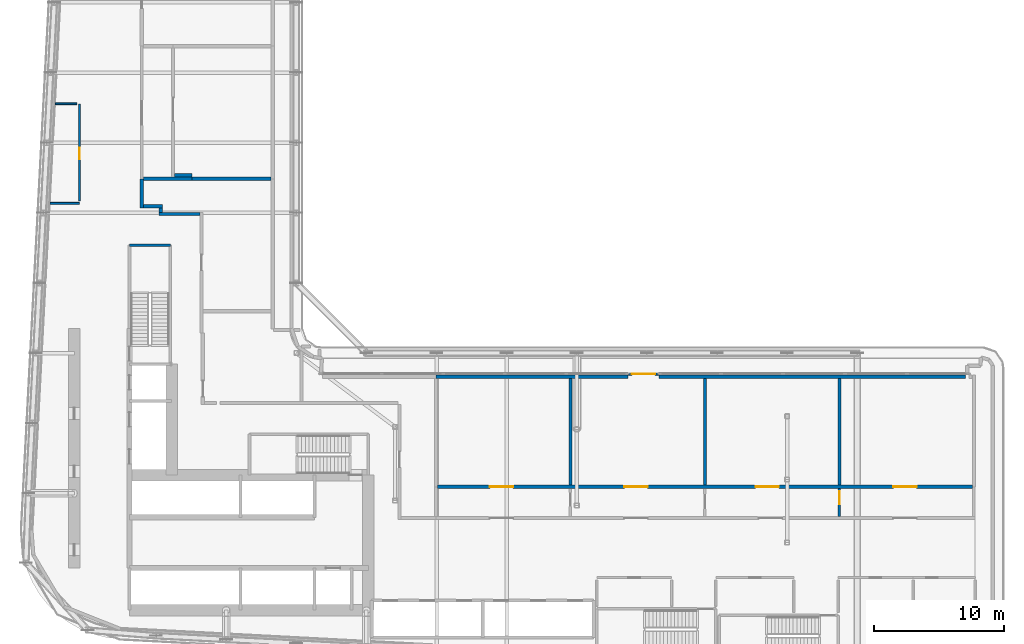
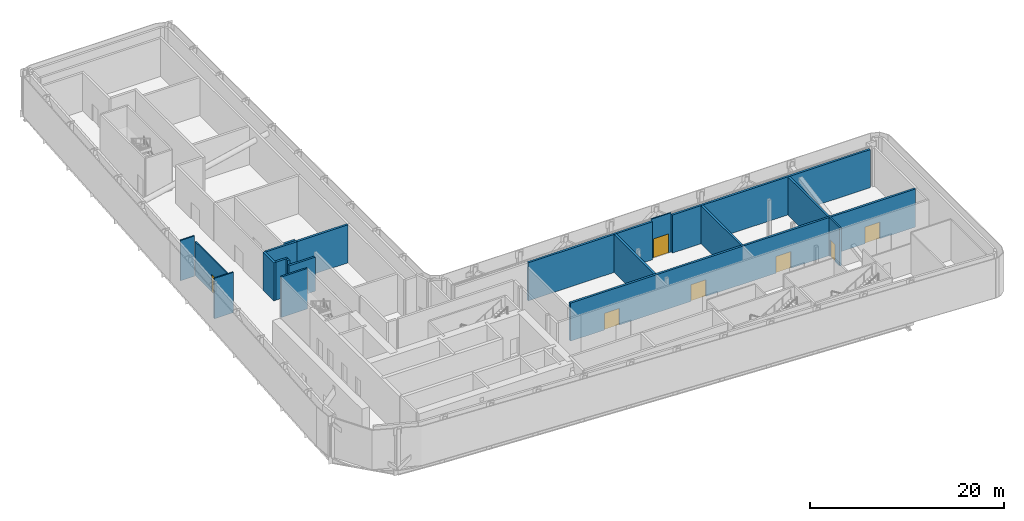
# One storey, part 20 of 30: 19 walls, 7 doors, 7 openings.
"""IFC4 building model written with IfcOpenShell, lengths in metres."""

from ifc_helpers import new_model, si_unit, direction, frame, frame_2d, origin, place, context, subcontext, project, spatial, rectangle, extrude, source, transform, mapped, material, layer, layer_set, type_object, element, fill, save


model = new_model("IFC4")

# Units and contexts
model_context = context("Model", 3, precision=1e-05, world=origin(), true_north=direction((0.0, 1.0)))
body_context = subcontext(model_context, "Body", "Model", "MODEL_VIEW")
ifc_project = project(units=[si_unit("LENGTHUNIT", "METRE"), si_unit("AREAUNIT", "SQUARE_METRE"), si_unit("VOLUMEUNIT", "CUBIC_METRE"), si_unit("PLANEANGLEUNIT", "RADIAN"), si_unit("MASSUNIT", "GRAM", prefix="KILO")], contexts=[model_context])

# Site, building, storey
site_placement = place(None, origin())
site = spatial("IfcSite", under=ifc_project, at=site_placement, CompositionType="ELEMENT")
building_placement = place(site_placement, origin())
building = spatial("IfcBuilding", under=site, at=building_placement, Name="Kheshtan School and Residences Tower", CompositionType="ELEMENT")
storey_placement = place(building_placement, frame((0.0, 0.0, 89.0)))
storey = spatial("IfcBuildingStorey", under=building, at=storey_placement, Name="L20", CompositionType="ELEMENT", Elevation=89.0)

# Wall, opening, door
ifc_material_1 = material(Name="Gypsum board on steel studs with fire boards", Category="steel")
ifc_layer_1 = layer(ifc_material_1, 0.199951171875)
ifc_layer_set_1 = layer_set([ifc_layer_1], Name="Corridor wall 200")
wall_type_1 = type_object("IfcWallType", Name="Corridor wall 200", PredefinedType="PARTITIONING", material=ifc_layer_set_1)
wall_1_placement = place(storey_placement, frame((89.422119140625, 33.0, 0.0), z_axis=(0.0, 0.0, 1.0), x_axis=(0.0, 1.0, 0.0)))
wall_1 = element("IfcWall", 1, at=wall_1_placement, inside=storey, type_object=wall_type_1, Name="Partition L20-050", PredefinedType="PARTITIONING", context=body_context, shape_type="SweptSolid", body=[
    extrude(rectangle(XDim=2.175048828125, YDim=0.199951171875, at=frame_2d((1.08740234375, 0.0))), origin(), (0.0, 0.0, 1.0), 4.800048828125),
])
opening_1_placement = place(wall_1_placement, frame((0.949951171875, 0.0, 0.0)))
opening_1 = element("IfcOpeningElement", 2, at=opening_1_placement, cuts=wall_1, Name="Opening D20-017", PredefinedType="OPENING", context=body_context, shape_type="SweptSolid", body=[
    extrude(rectangle(XDim=1.0, YDim=2.10009765625, at=frame_2d((0.5, 1.050048828125))), frame((0.0, 0.10986328125, 0.0), z_axis=(0.0, -1.0, 0.0), x_axis=(1.0, 0.0, 0.0)), (0.0, 0.0, 1.0), 0.219970703125),
])
ifc_material_2 = material(Name="Steel-framed fire-resisting door leaf", Category="steel")
door_type_1 = type_object("IfcDoorType", Name="Fire door FD60 1000 x 2100", OperationType="SINGLE_SWING_LEFT", PredefinedType="DOOR", material=ifc_material_2)
shared_shape_1 = source(origin(), body_context, "Body", "SweptSolid", [
    extrude(rectangle(XDim=1.0, YDim=2.10009765625, at=frame_2d((0.5, 1.050048828125))), frame((0.0, 0.02490234375, 0.0), z_axis=(0.0, -1.0, 0.0), x_axis=(1.0, 0.0, 0.0)), (0.0, 0.0, 1.0), 0.050048828125),
])
door_1_placement = place(opening_1_placement, origin())
door_1 = element("IfcDoor", 3, at=door_1_placement, inside=storey, type_object=door_type_1, Name="Door D20-017", OperationType="SINGLE_SWING_RIGHT", OverallHeight=2.10009765625, OverallWidth=1.0, PredefinedType="DOOR", context=body_context, shape_type="MappedRepresentation", body=[
    mapped(shared_shape_1, transform((0.0, 0.0, 0.0), x_axis=(1.0, 0.0, 0.0), y_axis=(0.0, 1.0, 0.0), z_axis=(0.0, 0.0, 1.0), scale=1.0)),
])
fill(opening_1, door_1)

ifc_material_3 = material(Name="Aluminium frame wall with insulated infill", Category="aluminium")
ifc_layer_2 = layer(ifc_material_3, 0.14990234375)
ifc_layer_set_2 = layer_set([ifc_layer_2], Name="Glazing frame wall 150")
wall_type_2 = type_object("IfcWallType", Name="Glazing frame wall 150", PredefinedType="SOLIDWALL", material=ifc_layer_set_2)
wall_2_placement = place(storey_placement, frame((73.1298828125, 43.97509765625, 0.0), z_axis=(0.0, 0.0, 1.0), x_axis=(1.0, 0.0, 0.0)))
wall_2 = element("IfcWall", 4, at=wall_2_placement, inside=storey, type_object=wall_type_2, Name="Terrace door wall L20 5", PredefinedType="SOLIDWALL", context=body_context, shape_type="SweptSolid", body=[
    extrude(rectangle(XDim=2.400146484375, YDim=0.14990234375, at=frame_2d((1.2001953125, 0.0))), origin(), (0.0, 0.0, 1.0), 4.949951171875),
])
opening_2_placement = place(wall_2_placement, frame((0.300048828125, 0.0, 0.0)))
opening_2 = element("IfcOpeningElement", 5, at=opening_2_placement, cuts=wall_2, Name="Opening BD", PredefinedType="OPENING", context=body_context, shape_type="SweptSolid", body=[
    extrude(rectangle(XDim=1.800048828125, YDim=2.39990234375, at=frame_2d((0.89990234375, 1.199951171875))), frame((0.0, 0.0849609375, 0.0), z_axis=(0.0, -1.0, 0.0), x_axis=(1.0, 0.0, 0.0)), (0.0, 0.0, 1.0), 0.169921875),
])
ifc_material_4 = material(Name="Clear low-e glass in thermally broken aluminium frame", Category="aluminium")
door_type_2 = type_object("IfcDoorType", Name="Balcony sliding door", OperationType="SLIDING_TO_LEFT", PredefinedType="DOOR", material=ifc_material_4)
shared_shape_2 = source(origin(), body_context, "Body", "SweptSolid", [
    extrude(rectangle(XDim=1.800048828125, YDim=2.39990234375, at=frame_2d((0.89990234375, 1.199951171875))), frame((0.0, 0.02490234375, 0.0), z_axis=(0.0, -1.0, 0.0), x_axis=(1.0, 0.0, 0.0)), (0.0, 0.0, 1.0), 0.050048828125),
])
door_2_placement = place(opening_2_placement, origin())
door_2 = element("IfcDoor", 6, at=door_2_placement, inside=storey, type_object=door_type_2, Name="Terrace door L20 5", OperationType="SLIDING_TO_LEFT", OverallHeight=2.39990234375, OverallWidth=1.800048828125, PredefinedType="DOOR", context=body_context, shape_type="MappedRepresentation", body=[
    mapped(shared_shape_2, transform((0.0, 0.0, 0.0), x_axis=(1.0, 0.0, 0.0), y_axis=(0.0, 1.0, 0.0), z_axis=(0.0, 0.0, 1.0), scale=1.0)),
])
fill(opening_2, door_2)

# Walls
ifc_material_5 = material(Name="Fire-board and steel stud wall with mineral wool", Category="steel")
ifc_layer_3 = layer(ifc_material_5, 0.25)
ifc_layer_set_3 = layer_set([ifc_layer_3], Name="Plant room wall 250")
wall_type_3 = type_object("IfcWallType", Name="Plant room wall 250", PredefinedType="PARTITIONING", material=ifc_layer_set_3)
wall_3_placement = place(storey_placement, frame((35.699951171875, 56.77490234375, 0.0), z_axis=(0.0, 0.0, 1.0), x_axis=(0.0, 1.0, 0.0)))
element("IfcWall", 7, at=wall_3_placement, inside=storey, type_object=wall_type_3, Name="Partition L20-006", PredefinedType="PARTITIONING", context=body_context, shape_type="SweptSolid", body=[
    extrude(rectangle(XDim=2.2490234375, YDim=0.25, at=frame_2d((1.12451171875, 0.0))), origin(), (0.0, 0.0, 1.0), 4.800048828125),
])
wall_4_placement = place(storey_placement, frame((35.824951171875, 56.89990234375, 0.0), z_axis=(0.0, 0.0, 1.0), x_axis=(1.0, 0.0, 0.0)))
element("IfcWall", 8, at=wall_4_placement, inside=storey, type_object=wall_type_3, Name="Partition L20-010", PredefinedType="PARTITIONING", context=body_context, shape_type="SweptSolid", body=[
    extrude(rectangle(XDim=1.449951171875, YDim=0.25, at=frame_2d((0.72509765625, 0.0))), origin(), (0.0, 0.0, 1.0), 4.800048828125),
])
wall_5_placement = place(storey_placement, frame((35.824951171875, 59.02392578125, 0.0), z_axis=(0.0, 0.0, 1.0), x_axis=(1.0, 0.0, 0.0)))
element("IfcWall", 9, at=wall_5_placement, inside=storey, type_object=wall_type_3, Name="Partition L20-011", PredefinedType="PARTITIONING", context=body_context, shape_type="SweptSolid", body=[
    extrude(rectangle(XDim=3.72509765625, YDim=0.25, at=frame_2d((1.862548828125, 0.0))), origin(), (0.0, 0.0, 1.0), 4.800048828125),
])
wall_6_placement = place(storey_placement, frame((37.02490234375, 56.31005859375, 0.0), z_axis=(0.0, 0.0, 1.0), x_axis=(1.0, 0.0, 0.0)))
element("IfcWall", 10, at=wall_6_placement, inside=storey, type_object=wall_type_3, Name="Partition L20-015", PredefinedType="PARTITIONING", context=body_context, shape_type="SweptSolid", body=[
    extrude(rectangle(XDim=3.150146484375, YDim=0.25, at=frame_2d((1.5751953125, 0.0))), origin(), (0.0, 0.0, 1.0), 4.27197265625),
])
wall_7_placement = place(storey_placement, frame((37.14990234375, 56.43505859375, 0.0), z_axis=(0.0, 0.0, 1.0), x_axis=(0.0, 1.0, 0.0)))
element("IfcWall", 11, at=wall_7_placement, inside=storey, type_object=wall_type_3, Name="Partition L20-016", PredefinedType="PARTITIONING", context=body_context, shape_type="SweptSolid", body=[
    extrude(rectangle(XDim=0.33984375, YDim=0.25, at=frame_2d((0.169921875, 0.0))), origin(), (0.0, 0.0, 1.0), 4.800048828125),
])
ifc_layer_4 = layer(ifc_material_5, 0.25)
ifc_layer_set_4 = layer_set([ifc_layer_4], Name="Refuge compartment wall 250")
wall_type_4 = type_object("IfcWallType", Name="Refuge compartment wall 250", PredefinedType="PARTITIONING", material=ifc_layer_set_4)
wall_8_placement = place(storey_placement, frame((38.22509765625, 59.300048828125, 0.0), z_axis=(0.0, 0.0, 1.0), x_axis=(1.0, 0.0, 0.0)))
element("IfcWall", 12, at=wall_8_placement, inside=storey, type_object=wall_type_4, Name="Partition L20-019", PredefinedType="PARTITIONING", context=body_context, shape_type="SweptSolid", body=[
    extrude(rectangle(XDim=1.324951171875, YDim=0.25, at=frame_2d((0.66259765625, 0.0))), origin(), (0.0, 0.0, 1.0), 4.800048828125),
])
wall_9_placement = place(storey_placement, frame((39.550048828125, 59.02392578125, 0.0), z_axis=(0.0, 0.0, 1.0), x_axis=(1.0, 0.0, 0.0)))
element("IfcWall", 13, at=wall_9_placement, inside=storey, type_object=wall_type_4, Name="Partition L20-023", PredefinedType="PARTITIONING", context=body_context, shape_type="SweptSolid", body=[
    extrude(rectangle(XDim=6.10498046875, YDim=0.25, at=frame_2d((3.052490234375, 0.0))), origin(), (0.0, 0.0, 1.0), 4.800048828125),
])
wall_10_placement = place(storey_placement, frame((58.347900390625, 43.780029296875, 0.0), z_axis=(0.0, 0.0, 1.0), x_axis=(1.0, 0.0, 0.0)))
element("IfcWall", 14, at=wall_10_placement, inside=storey, type_object=wall_type_4, Name="Partition L20-043", PredefinedType="PARTITIONING", context=body_context, shape_type="SweptSolid", body=[
    extrude(rectangle(XDim=14.783203125, YDim=0.25, at=frame_2d((7.3916015625, 0.0))), origin(), (0.0, 0.0, 1.0), 4.800048828125),
])

# Wall, openings, doors
wall_11_placement = place(storey_placement, frame((58.472900390625, 35.300048828125, 0.0), z_axis=(0.0, 0.0, 1.0), x_axis=(1.0, 0.0, 0.0)))
wall_11 = element("IfcWall", 15, at=wall_11_placement, inside=storey, type_object=wall_type_4, Name="Partition L20-044", PredefinedType="PARTITIONING", context=body_context, shape_type="SweptSolid", body=[
    extrude(rectangle(XDim=41.18212890625, YDim=0.25, at=frame_2d((20.591064453125, 0.0))), origin(), (0.0, 0.0, 1.0), 4.800048828125),
])
opening_3_placement = place(wall_11_placement, frame((4.032958984375, 0.0, 0.0)))
opening_3 = element("IfcOpeningElement", 16, at=opening_3_placement, cuts=wall_11, Name="Opening D20-001", PredefinedType="OPENING", context=body_context, shape_type="SweptSolid", body=[
    extrude(rectangle(XDim=1.800048828125, YDim=2.10009765625, at=frame_2d((0.89990234375, 1.050048828125))), frame((0.0, 0.135009765625, 0.0), z_axis=(0.0, -1.0, 0.0), x_axis=(1.0, 0.0, 0.0)), (0.0, 0.0, 1.0), 0.27001953125),
])
opening_4_placement = place(wall_11_placement, frame((14.39111328125, 0.0, 0.0)))
opening_4 = element("IfcOpeningElement", 17, at=opening_4_placement, cuts=wall_11, Name="Opening D20-002", PredefinedType="OPENING", context=body_context, shape_type="SweptSolid", body=[
    extrude(rectangle(XDim=1.800048828125, YDim=2.10009765625, at=frame_2d((0.89990234375, 1.050048828125))), frame((0.0, 0.135009765625, 0.0), z_axis=(0.0, -1.0, 0.0), x_axis=(1.0, 0.0, 0.0)), (0.0, 0.0, 1.0), 0.27001953125),
])
opening_5_placement = place(wall_11_placement, frame((24.4990234375, 0.0, 0.0)))
opening_5 = element("IfcOpeningElement", 18, at=opening_5_placement, cuts=wall_11, Name="Opening D20-003", PredefinedType="OPENING", context=body_context, shape_type="SweptSolid", body=[
    extrude(rectangle(XDim=1.800048828125, YDim=2.10009765625, at=frame_2d((0.89990234375, 1.050048828125))), frame((0.0, 0.135009765625, 0.0), z_axis=(0.0, -1.0, 0.0), x_axis=(1.0, 0.0, 0.0)), (0.0, 0.0, 1.0), 0.27001953125),
])
opening_6_placement = place(wall_11_placement, frame((35.10693359375, 0.0, 0.0)))
opening_6 = element("IfcOpeningElement", 19, at=opening_6_placement, cuts=wall_11, Name="Opening D20-004", PredefinedType="OPENING", context=body_context, shape_type="SweptSolid", body=[
    extrude(rectangle(XDim=1.800048828125, YDim=2.10009765625, at=frame_2d((0.89990234375, 1.050048828125))), frame((0.0, 0.135009765625, 0.0), z_axis=(0.0, -1.0, 0.0), x_axis=(1.0, 0.0, 0.0)), (0.0, 0.0, 1.0), 0.27001953125),
])
door_type_3 = type_object("IfcDoorType", Name="Fire double door FD120 1800 x 2100", OperationType="DOUBLE_DOOR_SINGLE_SWING", PredefinedType="DOOR", material=ifc_material_2)
shared_shape_3 = source(origin(), body_context, "Body", "SweptSolid", [
    extrude(rectangle(XDim=1.800048828125, YDim=2.10009765625, at=frame_2d((0.89990234375, 1.050048828125))), frame((0.0, 0.02490234375, 0.0), z_axis=(0.0, -1.0, 0.0), x_axis=(1.0, 0.0, 0.0)), (0.0, 0.0, 1.0), 0.050048828125),
])
door_3_placement = place(opening_3_placement, origin())
door_3 = element("IfcDoor", 20, at=door_3_placement, inside=storey, type_object=door_type_3, Name="Door D20-001", OperationType="DOUBLE_DOOR_SINGLE_SWING", OverallHeight=2.10009765625, OverallWidth=1.800048828125, PredefinedType="DOOR", context=body_context, shape_type="MappedRepresentation", body=[
    mapped(shared_shape_3, transform((0.0, 0.0, 0.0), x_axis=(1.0, 0.0, 0.0), y_axis=(0.0, 1.0, 0.0), z_axis=(0.0, 0.0, 1.0), scale=1.0)),
])
fill(opening_3, door_3)
door_4_placement = place(opening_4_placement, origin())
door_4 = element("IfcDoor", 21, at=door_4_placement, inside=storey, type_object=door_type_3, Name="Door D20-002", OperationType="DOUBLE_DOOR_SINGLE_SWING", OverallHeight=2.10009765625, OverallWidth=1.800048828125, PredefinedType="DOOR", context=body_context, shape_type="MappedRepresentation", body=[
    mapped(shared_shape_3, transform((0.0, 0.0, 0.0), x_axis=(1.0, 0.0, 0.0), y_axis=(0.0, 1.0, 0.0), z_axis=(0.0, 0.0, 1.0), scale=1.0)),
])
fill(opening_4, door_4)
door_5_placement = place(opening_5_placement, origin())
door_5 = element("IfcDoor", 22, at=door_5_placement, inside=storey, type_object=door_type_3, Name="Door D20-003", OperationType="DOUBLE_DOOR_SINGLE_SWING", OverallHeight=2.10009765625, OverallWidth=1.800048828125, PredefinedType="DOOR", context=body_context, shape_type="MappedRepresentation", body=[
    mapped(shared_shape_3, transform((0.0, 0.0, 0.0), x_axis=(1.0, 0.0, 0.0), y_axis=(0.0, 1.0, 0.0), z_axis=(0.0, 0.0, 1.0), scale=1.0)),
])
fill(opening_5, door_5)
door_6_placement = place(opening_6_placement, origin())
door_6 = element("IfcDoor", 23, at=door_6_placement, inside=storey, type_object=door_type_3, Name="Door D20-004", OperationType="DOUBLE_DOOR_SINGLE_SWING", OverallHeight=2.10009765625, OverallWidth=1.800048828125, PredefinedType="DOOR", context=body_context, shape_type="MappedRepresentation", body=[
    mapped(shared_shape_3, transform((0.0, 0.0, 0.0), x_axis=(1.0, 0.0, 0.0), y_axis=(0.0, 1.0, 0.0), z_axis=(0.0, 0.0, 1.0), scale=1.0)),
])
fill(opening_6, door_6)

# Walls
wall_12_placement = place(storey_placement, frame((68.7060546875, 35.425048828125, 0.0), z_axis=(0.0, 0.0, 1.0), x_axis=(0.0, 1.0, 0.0)))
element("IfcWall", 24, at=wall_12_placement, inside=storey, type_object=wall_type_4, Name="Partition L20-046", PredefinedType="PARTITIONING", context=body_context, shape_type="SweptSolid", body=[
    extrude(rectangle(XDim=8.22998046875, YDim=0.25, at=frame_2d((4.114990234375, 0.0))), origin(), (0.0, 0.0, 1.0), 4.800048828125),
])
wall_13_placement = place(storey_placement, frame((75.529052734375, 43.780029296875, 0.0), z_axis=(0.0, 0.0, 1.0), x_axis=(1.0, 0.0, 0.0)))
element("IfcWall", 25, at=wall_13_placement, inside=storey, type_object=wall_type_4, Name="Partition L20-047", PredefinedType="PARTITIONING", context=body_context, shape_type="SweptSolid", body=[
    extrude(rectangle(XDim=23.621826171875, YDim=0.25, at=frame_2d((11.81103515625, 0.0))), origin(), (0.0, 0.0, 1.0), 4.800048828125),
])
for number, where, z_axis, x_axis, name in (
    (26, (79.06396484375, 35.425048828125, 0.0), (0.0, 0.0, 1.0), (0.0, 1.0, 0.0), "Partition L20-049"),
    (27, (89.422119140625, 35.425048828125, 0.0), (0.0, 0.0, 1.0), (0.0, 1.0, 0.0), "Partition L20-051"),
):
    element("IfcWall", number, at=place(storey_placement, frame(where, z_axis=z_axis, x_axis=x_axis)), inside=storey, type_object=wall_type_4, Name=name, PredefinedType="PARTITIONING", context=body_context, shape_type="SweptSolid", body=[
        extrude(rectangle(XDim=8.22998046875, YDim=0.25, at=frame_2d((4.114990234375, 0.0))), origin(), (0.0, 0.0, 1.0), 4.800048828125),
    ])
ifc_material_6 = material(Name="Fire-board shaft wall system")
ifc_layer_5 = layer(ifc_material_6, 0.14990234375)
ifc_layer_set_5 = layer_set([ifc_layer_5], Name="Service room wall 150")
wall_type_5 = type_object("IfcWallType", Name="Service room wall 150", PredefinedType="PARTITIONING", material=ifc_layer_set_5)
wall_14_placement = place(storey_placement, frame((28.64599609375, 57.123046875, 0.0), z_axis=(0.0, 0.0, 1.0), x_axis=(1.0, 0.0, 0.0)))
element("IfcWall", 28, at=wall_14_placement, inside=storey, type_object=wall_type_5, Name="Service room wall", PredefinedType="PARTITIONING", context=body_context, shape_type="SweptSolid", body=[
    extrude(rectangle(XDim=2.25390625, YDim=0.14990234375, at=frame_2d((1.126953125, 0.0))), origin(), (0.0, 0.0, 1.0), 5.10009765625),
])

# Wall, opening, door
wall_15_placement = place(storey_placement, frame((30.89990234375, 57.318115234375, 0.0), z_axis=(0.0, 0.0, 1.0), x_axis=(0.0, 1.0, 0.0)))
wall_15 = element("IfcWall", 29, at=wall_15_placement, inside=storey, type_object=wall_type_5, Name="Service room wall", PredefinedType="PARTITIONING", context=body_context, shape_type="SweptSolid", body=[
    extrude(rectangle(XDim=7.48193359375, YDim=0.14990234375, at=frame_2d((3.740966796875, 0.0))), origin(), (0.0, 0.0, 1.0), 4.27197265625),
])
opening_7_placement = place(wall_15_placement, frame((3.194091796875, 0.0, 0.0)))
opening_7 = element("IfcOpeningElement", 30, at=opening_7_placement, cuts=wall_15, Name="Opening SR90", PredefinedType="OPENING", context=body_context, shape_type="SweptSolid", body=[
    extrude(rectangle(XDim=0.89990234375, YDim=2.199951171875, at=frame_2d((0.449951171875, 1.10009765625))), frame((0.0, 0.0849609375, 0.0), z_axis=(0.0, -1.0, 0.0), x_axis=(1.0, 0.0, 0.0)), (0.0, 0.0, 1.0), 0.169921875),
])
ifc_material_7 = material(Name="Steel door leaf, galvanised", Category="steel")
door_type_4 = type_object("IfcDoorType", Name="Service room door 900 steel 90 min", OperationType="SINGLE_SWING_LEFT", PredefinedType="DOOR", material=ifc_material_7)
shared_shape_4 = source(origin(), body_context, "Body", "SweptSolid", [
    extrude(rectangle(XDim=0.89990234375, YDim=2.199951171875, at=frame_2d((0.449951171875, 1.10009765625))), frame((0.0, 0.02490234375, 0.0), z_axis=(0.0, -1.0, 0.0), x_axis=(1.0, 0.0, 0.0)), (0.0, 0.0, 1.0), 0.050048828125),
])
door_7_placement = place(opening_7_placement, origin())
door_7 = element("IfcDoor", 31, at=door_7_placement, inside=storey, type_object=door_type_4, Name="Service room door", OperationType="SINGLE_SWING_RIGHT", OverallHeight=2.199951171875, OverallWidth=0.89990234375, PredefinedType="DOOR", context=body_context, shape_type="MappedRepresentation", body=[
    mapped(shared_shape_4, transform((0.0, 0.0, 0.0), x_axis=(1.0, 0.0, 0.0), y_axis=(0.0, 1.0, 0.0), z_axis=(0.0, 0.0, 1.0), scale=1.0)),
])
fill(opening_7, door_7)

# Walls
wall_16_placement = place(storey_placement, frame((29.050048828125, 64.800048828125, 0.0), z_axis=(0.0, 0.0, 1.0), x_axis=(1.0, 0.0, 0.0)))
element("IfcWall", 32, at=wall_16_placement, inside=storey, type_object=wall_type_5, Name="Service room wall", PredefinedType="PARTITIONING", context=body_context, shape_type="SweptSolid", body=[
    extrude(rectangle(XDim=1.655029296875, YDim=0.14990234375, at=frame_2d((0.82763671875, 0.0))), origin(), (0.0, 0.0, 1.0), 5.10009765625),
])
ifc_material_8 = material(Name="Concrete C40/50", Category="concrete")
ifc_layer_6 = layer(ifc_material_8, 0.199951171875)
ifc_layer_set_6 = layer_set([ifc_layer_6], Name="Stair enclosure wall 200 Concrete C40/50")
wall_type_6 = type_object("IfcWallType", Name="Stair enclosure wall 200 Concrete C40/50", PredefinedType="SHEAR", material=ifc_layer_set_6)
wall_17_placement = place(storey_placement, frame((34.75, 53.909912109375, 0.0), z_axis=(0.0, 0.0, 1.0), x_axis=(1.0, 0.0, 0.0)))
element("IfcWall", 33, at=wall_17_placement, inside=storey, type_object=wall_type_6, Name="Stair enclosure wall ST2", PredefinedType="SHEAR", context=body_context, shape_type="SweptSolid", body=[
    extrude(rectangle(XDim=3.14990234375, YDim=0.199951171875, at=frame_2d((1.574951171875, 0.0))), origin(), (0.0, 0.0, 1.0), 5.10009765625),
])

save(model, "model.ifc")
